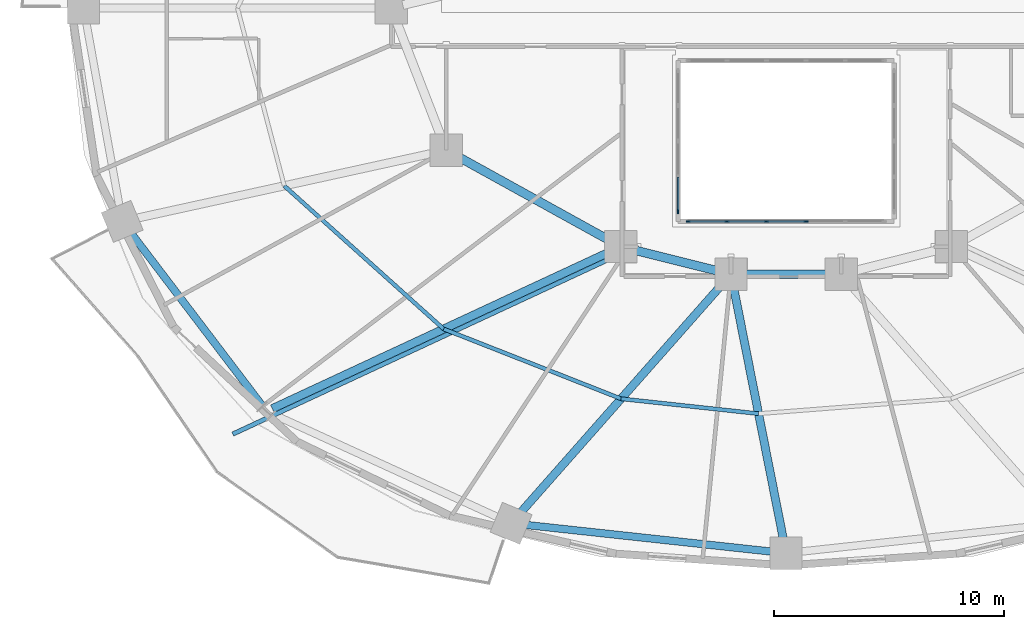
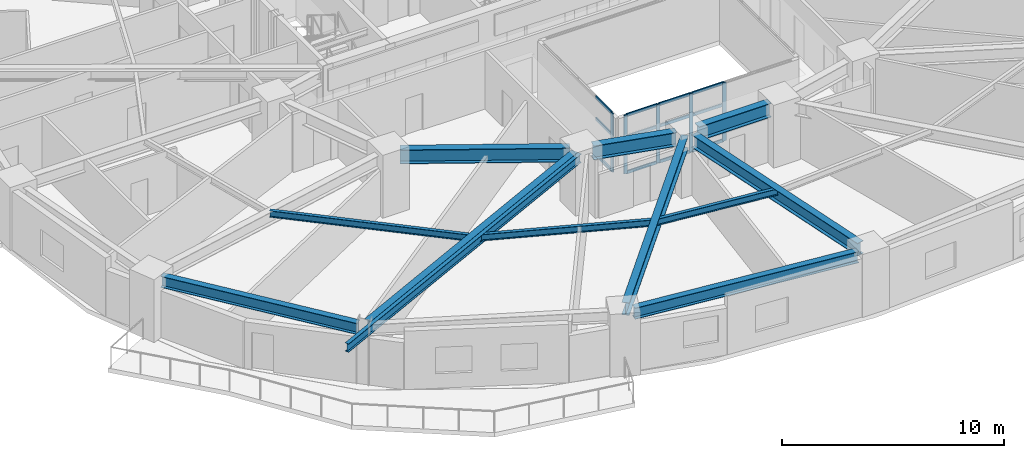
# One storey, part 3 of 18: 17 members, 12 beams, 2 elements without a shape of their own.
"""IFC4 building model written with IfcOpenShell, lengths in metres."""

from ifc_helpers import new_model, si_unit, direction, frame, origin, origin_2d, place, context, subcontext, project, spatial, rectangle, i_section, extrude, material, material_profile, profile_set, type_object, element, aggregate, save


model = new_model("IFC4")

# Units and contexts
model_context = context("Model", 3, precision=1e-05, world=origin(), true_north=direction((0.0, 1.0)))
body_context = subcontext(model_context, "Body", "Model", "MODEL_VIEW")
ifc_project = project(units=[si_unit("LENGTHUNIT", "METRE"), si_unit("AREAUNIT", "SQUARE_METRE"), si_unit("VOLUMEUNIT", "CUBIC_METRE"), si_unit("PLANEANGLEUNIT", "RADIAN"), si_unit("MASSUNIT", "GRAM", prefix="KILO")], contexts=[model_context])

# Site, building, storey
site_placement = place(None, origin())
site = spatial("IfcSite", under=ifc_project, at=site_placement, CompositionType="ELEMENT")
building_placement = place(site_placement, origin())
building = spatial("IfcBuilding", under=site, at=building_placement, Name="Haldorwick Loom Tower", CompositionType="ELEMENT")
storey_placement = place(building_placement, frame((0.0, 0.0, 48.14990234375)))
storey = spatial("IfcBuildingStorey", under=building, at=storey_placement, Name="L12", CompositionType="ELEMENT", Elevation=48.14990234375)

# Curtain wall, members
ifc_material_1 = material(Name="Thermally Broken Anodized Aluminium Curtain Wall Framing", Category="aluminium")
curtain_wall_type = type_object("IfcCurtainWallType", Name="ARC-CW-03", PredefinedType="NOTDEFINED", material=ifc_material_1)
curtain_wall_1_placement = place(storey_placement, origin())
curtain_wall_1 = element("IfcCurtainWall", 1, at=curtain_wall_1_placement, inside=storey, type_object=curtain_wall_type, Name="L12 Atrium Glazed Screen S", PredefinedType="NOTDEFINED")
ifc_material_profile_1 = material_profile(ifc_material_1, rectangle(XDim=0.06591796875, YDim=0.18505859375, at=origin_2d()), Name="ALU_MUL_66X185", Category="aluminium")
ifc_profile_set_1 = profile_set([ifc_material_profile_1], Name="Thermally Broken Anodized Aluminium Curtain Wall Framing")
member_type_1 = type_object("IfcMemberType", Name="ARC-CWM-03", PredefinedType="MULLION", material=ifc_profile_set_1)
member_1_placement = place(storey_placement, frame((36.860107421875, 16.699951171875, 0.0), z_axis=(0.0, 0.0, 1.0), x_axis=(0.0, -1.0, 0.0)))
member_1 = element("IfcMember", 2, at=member_1_placement, type_object=member_type_1, Name="CW-03 mullion 3", PredefinedType="MULLION", context=body_context, shape_type="SweptSolid", body=[
    extrude(rectangle(XDim=0.06591796875, YDim=0.18505859375, at=origin_2d()), origin(), (0.0, 0.0, 1.0), 3.210205078125),
])
member_2_placement = place(storey_placement, frame((35.139892578125, 16.699951171875, 0.0), z_axis=(0.0, 0.0, 1.0), x_axis=(0.0, -1.0, 0.0)))
member_2 = element("IfcMember", 3, at=member_2_placement, type_object=member_type_1, Name="CW-03 mullion 4", PredefinedType="MULLION", context=body_context, shape_type="SweptSolid", body=[
    extrude(rectangle(XDim=0.06591796875, YDim=0.18505859375, at=origin_2d()), origin(), (0.0, 0.0, 1.0), 3.210205078125),
])
member_3_placement = place(storey_placement, frame((33.419921875, 16.699951171875, 0.0), z_axis=(0.0, 0.0, 1.0), x_axis=(0.0, -1.0, 0.0)))
member_3 = element("IfcMember", 4, at=member_3_placement, type_object=member_type_1, Name="CW-03 mullion 5", PredefinedType="MULLION", context=body_context, shape_type="SweptSolid", body=[
    extrude(rectangle(XDim=0.06591796875, YDim=0.18505859375, at=origin_2d()), origin(), (0.0, 0.0, 1.0), 3.210205078125),
])
member_4_placement = place(storey_placement, frame((31.73291015625, 16.699951171875, 0.0), z_axis=(0.0, 0.0, 1.0), x_axis=(0.0, -1.0, 0.0)))
member_4 = element("IfcMember", 5, at=member_4_placement, type_object=member_type_1, Name="CW-03 mullion 6", PredefinedType="MULLION", context=body_context, shape_type="SweptSolid", body=[
    extrude(rectangle(XDim=0.06591796875, YDim=0.18505859375, at=origin_2d()), origin(), (0.0, 0.0, 1.0), 3.210205078125),
])

# Curtain wall, member
curtain_wall_2_placement = place(storey_placement, origin())
curtain_wall_2 = element("IfcCurtainWall", 6, at=curtain_wall_2_placement, inside=storey, type_object=curtain_wall_type, Name="L12 Atrium Glazed Screen W", PredefinedType="NOTDEFINED")
member_5_placement = place(storey_placement, frame((31.300048828125, 17.133056640625, 0.0), z_axis=(0.0, 0.0, 1.0), x_axis=(-1.0, 0.0, 0.0)))
member_5 = element("IfcMember", 7, at=member_5_placement, type_object=member_type_1, Name="CW-03 mullion 1", PredefinedType="MULLION", context=body_context, shape_type="SweptSolid", body=[
    extrude(rectangle(XDim=0.06591796875, YDim=0.18505859375, at=origin_2d()), origin(), (0.0, 0.0, 1.0), 3.210205078125),
])

# Member
ifc_material_profile_2 = material_profile(ifc_material_1, rectangle(XDim=0.06591796875, YDim=0.1650390625, at=origin_2d()), Name="ALU_TRN_66X165", Category="aluminium")
ifc_profile_set_2 = profile_set([ifc_material_profile_2], Name="Thermally Broken Anodized Aluminium Curtain Wall Framing")
member_type_2 = type_object("IfcMemberType", Name="ARC-CWT-03", PredefinedType="USERDEFINED", material=ifc_profile_set_2)
member_6_placement = place(storey_placement, frame((36.826904296875, 16.699951171875, 0.033203125), z_axis=(-1.0, 0.0, 0.0), x_axis=(0.0, -1.0, 0.0)))
member_6 = element("IfcMember", 8, at=member_6_placement, type_object=member_type_2, Name="CW-03 transom 3.1", ObjectType="TRANSOM", PredefinedType="USERDEFINED", context=body_context, shape_type="SweptSolid", body=[
    extrude(rectangle(XDim=0.06591796875, YDim=0.1650390625, at=origin_2d()), origin(), (0.0, 0.0, 1.0), 1.65380859375),
])

member_7_placement = place(storey_placement, frame((36.826904296875, 16.699951171875, 2.0), z_axis=(-1.0, 0.0, 0.0), x_axis=(0.0, -1.0, 0.0)))
member_7 = element("IfcMember", 9, at=member_7_placement, type_object=member_type_2, Name="CW-03 transom 3.2", ObjectType="TRANSOM", PredefinedType="USERDEFINED", context=body_context, shape_type="SweptSolid", body=[
    extrude(rectangle(XDim=0.06591796875, YDim=0.1650390625, at=origin_2d()), origin(), (0.0, 0.0, 1.0), 1.65380859375),
])

member_8_placement = place(storey_placement, frame((36.826904296875, 16.699951171875, 3.177001953125), z_axis=(-1.0, 0.0, 0.0), x_axis=(0.0, -1.0, 0.0)))
member_8 = element("IfcMember", 10, at=member_8_placement, type_object=member_type_2, Name="CW-03 transom 3.3", ObjectType="TRANSOM", PredefinedType="USERDEFINED", context=body_context, shape_type="SweptSolid", body=[
    extrude(rectangle(XDim=0.06591796875, YDim=0.1650390625, at=origin_2d()), origin(), (0.0, 0.0, 1.0), 1.65380859375),
])

member_9_placement = place(storey_placement, frame((35.10693359375, 16.699951171875, 0.033203125), z_axis=(-1.0, 0.0, 0.0), x_axis=(0.0, -1.0, 0.0)))
member_9 = element("IfcMember", 11, at=member_9_placement, type_object=member_type_2, Name="CW-03 transom 4.1", ObjectType="TRANSOM", PredefinedType="USERDEFINED", context=body_context, shape_type="SweptSolid", body=[
    extrude(rectangle(XDim=0.06591796875, YDim=0.1650390625, at=origin_2d()), origin(), (0.0, 0.0, 1.0), 1.654052734375),
])

member_10_placement = place(storey_placement, frame((35.10693359375, 16.699951171875, 2.0), z_axis=(-1.0, 0.0, 0.0), x_axis=(0.0, -1.0, 0.0)))
member_10 = element("IfcMember", 12, at=member_10_placement, type_object=member_type_2, Name="CW-03 transom 4.2", ObjectType="TRANSOM", PredefinedType="USERDEFINED", context=body_context, shape_type="SweptSolid", body=[
    extrude(rectangle(XDim=0.06591796875, YDim=0.1650390625, at=origin_2d()), origin(), (0.0, 0.0, 1.0), 1.654052734375),
])

member_11_placement = place(storey_placement, frame((35.10693359375, 16.699951171875, 3.177001953125), z_axis=(-1.0, 0.0, 0.0), x_axis=(0.0, -1.0, 0.0)))
member_11 = element("IfcMember", 13, at=member_11_placement, type_object=member_type_2, Name="CW-03 transom 4.3", ObjectType="TRANSOM", PredefinedType="USERDEFINED", context=body_context, shape_type="SweptSolid", body=[
    extrude(rectangle(XDim=0.06591796875, YDim=0.1650390625, at=origin_2d()), origin(), (0.0, 0.0, 1.0), 1.654052734375),
])

member_12_placement = place(storey_placement, frame((33.386962890625, 16.699951171875, 0.033203125), z_axis=(-1.0, 0.0, 0.0), x_axis=(0.0, -1.0, 0.0)))
member_12 = element("IfcMember", 14, at=member_12_placement, type_object=member_type_2, Name="CW-03 transom 5.1", ObjectType="TRANSOM", PredefinedType="USERDEFINED", context=body_context, shape_type="SweptSolid", body=[
    extrude(rectangle(XDim=0.06591796875, YDim=0.1650390625, at=origin_2d()), origin(), (0.0, 0.0, 1.0), 1.620849609375),
])

member_13_placement = place(storey_placement, frame((33.386962890625, 16.699951171875, 2.0), z_axis=(-1.0, 0.0, 0.0), x_axis=(0.0, -1.0, 0.0)))
member_13 = element("IfcMember", 15, at=member_13_placement, type_object=member_type_2, Name="CW-03 transom 5.2", ObjectType="TRANSOM", PredefinedType="USERDEFINED", context=body_context, shape_type="SweptSolid", body=[
    extrude(rectangle(XDim=0.06591796875, YDim=0.1650390625, at=origin_2d()), origin(), (0.0, 0.0, 1.0), 1.620849609375),
])

member_14_placement = place(storey_placement, frame((33.386962890625, 16.699951171875, 3.177001953125), z_axis=(-1.0, 0.0, 0.0), x_axis=(0.0, -1.0, 0.0)))
member_14 = element("IfcMember", 16, at=member_14_placement, type_object=member_type_2, Name="CW-03 transom 5.3", ObjectType="TRANSOM", PredefinedType="USERDEFINED", context=body_context, shape_type="SweptSolid", body=[
    extrude(rectangle(XDim=0.06591796875, YDim=0.1650390625, at=origin_2d()), origin(), (0.0, 0.0, 1.0), 1.620849609375),
])

aggregate(curtain_wall_1, [member_1, member_2, member_3, member_4, member_6, member_7, member_8, member_9, member_10, member_11, member_12, member_13, member_14])

member_15_placement = place(storey_placement, frame((31.300048828125, 17.166015625, 0.033203125), z_axis=(0.0, 1.0, 0.0), x_axis=(-1.0, 0.0, 0.0)))
member_15 = element("IfcMember", 17, at=member_15_placement, type_object=member_type_2, Name="CW-03 transom 1.1", ObjectType="TRANSOM", PredefinedType="USERDEFINED", context=body_context, shape_type="SweptSolid", body=[
    extrude(rectangle(XDim=0.06591796875, YDim=0.1650390625, at=origin_2d()), origin(), (0.0, 0.0, 1.0), 1.450927734375),
])

member_16_placement = place(storey_placement, frame((31.300048828125, 17.166015625, 2.0), z_axis=(0.0, 1.0, 0.0), x_axis=(-1.0, 0.0, 0.0)))
member_16 = element("IfcMember", 18, at=member_16_placement, type_object=member_type_2, Name="CW-03 transom 1.2", ObjectType="TRANSOM", PredefinedType="USERDEFINED", context=body_context, shape_type="SweptSolid", body=[
    extrude(rectangle(XDim=0.06591796875, YDim=0.1650390625, at=origin_2d()), origin(), (0.0, 0.0, 1.0), 1.450927734375),
])

member_17_placement = place(storey_placement, frame((31.300048828125, 17.166015625, 3.177001953125), z_axis=(0.0, 1.0, 0.0), x_axis=(-1.0, 0.0, 0.0)))
member_17 = element("IfcMember", 19, at=member_17_placement, type_object=member_type_2, Name="CW-03 transom 1.3", ObjectType="TRANSOM", PredefinedType="USERDEFINED", context=body_context, shape_type="SweptSolid", body=[
    extrude(rectangle(XDim=0.06591796875, YDim=0.1650390625, at=origin_2d()), origin(), (0.0, 0.0, 1.0), 1.450927734375),
])

aggregate(curtain_wall_2, [member_5, member_15, member_16, member_17])

# Beams
ifc_material_2 = material(Name="Steel CSA G40.21 350W", Category="steel")
ifc_material_profile_3 = material_profile(ifc_material_2, i_section(OverallWidth=0.193115234375, OverallDepth=0.466064453125, WebThickness=0.011474609375, FlangeThickness=0.01904296875, at=origin_2d()), Name="W460X97", Category="steel")
ifc_profile_set_3 = profile_set([ifc_material_profile_3], Name="Steel CSA G40.21 350W")
beam_type_1 = type_object("IfcBeamType", Name="STR-BM-BAL460", PredefinedType="BEAM", material=ifc_profile_set_3)
beam_1_placement = place(storey_placement, frame((28.446533203125, 15.126953125, 2.97705078125), z_axis=(-0.906840784049, -0.421473359047, 0.0), x_axis=(0.421473359047, -0.906840784049, 0.0)))
element("IfcBeam", 20, at=beam_1_placement, inside=storey, type_object=beam_type_1, Name="L12 Continuous Back-Spanned Balcony Beam 2", PredefinedType="BEAM", context=body_context, shape_type="SweptSolid", body=[
    extrude(i_section(OverallWidth=0.193115234375, OverallDepth=0.466064453125, WebThickness=0.011474609375, FlangeThickness=0.01904296875, at=origin_2d()), origin(), (0.0, 0.0, 1.0), 18.245361328125),
])
ifc_material_profile_4 = material_profile(ifc_material_2, i_section(OverallWidth=0.172119140625, OverallDepth=0.35791015625, WebThickness=0.0078125, FlangeThickness=0.01318359375, at=origin_2d()), Name="W360X57", Category="steel")
ifc_profile_set_4 = profile_set([ifc_material_profile_4], Name="Steel CSA G40.21 350W")
beam_type_2 = type_object("IfcBeamType", Name="STR-BM-J360", PredefinedType="JOIST", material=ifc_profile_set_4)
beam_2_placement = place(storey_placement, frame((14.141357421875, 18.25048828125, 3.031005859375), z_axis=(0.743981830112, -0.668199847698, 0.0), x_axis=(0.668199847698, 0.743981830112, 0.0)))
element("IfcBeam", 21, at=beam_2_placement, inside=storey, type_object=beam_type_2, Name="L12 Mid-Bay Secondary Joist 10", PredefinedType="JOIST", context=body_context, shape_type="SweptSolid", body=[
    extrude(i_section(OverallWidth=0.172119140625, OverallDepth=0.35791015625, WebThickness=0.0078125, FlangeThickness=0.01318359375, at=origin_2d()), origin(), (0.0, 0.0, 1.0), 9.3330078125),
])
beam_3_placement = place(storey_placement, frame((21.0849609375, 12.01416015625, 3.031005859375), z_axis=(0.930584838237, -0.366076301941, 0.0), x_axis=(0.366076301941, 0.930584838237, 0.0)))
element("IfcBeam", 22, at=beam_3_placement, inside=storey, type_object=beam_type_2, Name="L12 Mid-Bay Secondary Joist 11", PredefinedType="JOIST", context=body_context, shape_type="SweptSolid", body=[
    extrude(i_section(OverallWidth=0.172119140625, OverallDepth=0.35791015625, WebThickness=0.0078125, FlangeThickness=0.01318359375, at=origin_2d()), origin(), (0.0, 0.0, 1.0), 8.302490234375),
])
beam_4_placement = place(storey_placement, frame((28.81103515625, 8.974853515625, 3.031005859375), z_axis=(0.994163660215, -0.107882420753, 0.0), x_axis=(0.107882420753, 0.994163660215, 0.0)))
element("IfcBeam", 23, at=beam_4_placement, inside=storey, type_object=beam_type_2, Name="L12 Mid-Bay Secondary Joist 12", PredefinedType="JOIST", context=body_context, shape_type="SweptSolid", body=[
    extrude(i_section(OverallWidth=0.172119140625, OverallDepth=0.35791015625, WebThickness=0.0078125, FlangeThickness=0.01318359375, at=origin_2d()), origin(), (0.0, 0.0, 1.0), 6.024169921875),
])
ifc_material_profile_5 = material_profile(ifc_material_2, i_section(OverallWidth=0.324951171875, OverallDepth=0.615966796875, WebThickness=0.013916015625, FlangeThickness=0.021484375, at=origin_2d()), Name="W610X174", Category="steel")
ifc_profile_set_5 = profile_set([ifc_material_profile_5], Name="Steel CSA G40.21 350W")
beam_type_3 = type_object("IfcBeamType", Name="STR-BM-SP610", PredefinedType="SPANDREL", material=ifc_profile_set_5)
beam_5_placement = place(storey_placement, frame((7.397216796875, 16.286865234375, 2.902099609375), z_axis=(0.605084557744, -0.796161213562, 0.0), x_axis=(0.796161213562, 0.605084557744, 0.0)))
element("IfcBeam", 24, at=beam_5_placement, inside=storey, type_object=beam_type_3, Name="L12 Perimeter Spandrel 10", PredefinedType="SPANDREL", context=body_context, shape_type="SweptSolid", body=[
    extrude(i_section(OverallWidth=0.324951171875, OverallDepth=0.615966796875, WebThickness=0.013916015625, FlangeThickness=0.021484375, at=origin_2d()), origin(), (0.0, 0.0, 1.0), 9.595703125),
])
beam_6_placement = place(storey_placement, frame((24.5390625, 3.49365234375, 2.902099609375), z_axis=(0.994164438636, -0.107875247167, 0.0), x_axis=(0.107875247167, 0.994164438636, 0.0)))
element("IfcBeam", 25, at=beam_6_placement, inside=storey, type_object=beam_type_3, Name="L12 Perimeter Spandrel 12", PredefinedType="SPANDREL", context=body_context, shape_type="SweptSolid", body=[
    extrude(i_section(OverallWidth=0.324951171875, OverallDepth=0.615966796875, WebThickness=0.013916015625, FlangeThickness=0.021484375, at=origin_2d()), origin(), (0.0, 0.0, 1.0), 11.008056640625),
])
ifc_material_profile_6 = material_profile(ifc_material_2, i_section(OverallWidth=0.35498046875, OverallDepth=0.695068359375, WebThickness=0.015380859375, FlangeThickness=0.02490234375, at=origin_2d()), Name="W690X217", Category="steel")
ifc_profile_set_6 = profile_set([ifc_material_profile_6], Name="Steel CSA G40.21 350W")
beam_type_4 = type_object("IfcBeamType", Name="STR-BM-W690", PredefinedType="BEAM", material=ifc_profile_set_6)
beam_7_placement = place(storey_placement, frame((28.328369140625, 15.380859375, 2.862548828125), z_axis=(-0.90683498532, -0.421485835349, 0.0), x_axis=(0.421485835349, -0.90683498532, 0.0)))
element("IfcBeam", 26, at=beam_7_placement, inside=storey, type_object=beam_type_4, Name="L12 Radial Floor Girder 11", PredefinedType="BEAM", context=body_context, shape_type="SweptSolid", body=[
    extrude(i_section(OverallWidth=0.35498046875, OverallDepth=0.695068359375, WebThickness=0.015380859375, FlangeThickness=0.02490234375, at=origin_2d()), origin(), (0.0, 0.0, 1.0), 16.220458984375),
])
beam_8_placement = place(storey_placement, frame((33.255859375, 14.01025390625, 2.862548828125), z_axis=(-0.661774304332, -0.749703121326, 0.0), x_axis=(0.749703121326, -0.661774304332, 0.0)))
element("IfcBeam", 27, at=beam_8_placement, inside=storey, type_object=beam_type_4, Name="L12 Radial Floor Girder 12", PredefinedType="BEAM", context=body_context, shape_type="SweptSolid", body=[
    extrude(i_section(OverallWidth=0.35498046875, OverallDepth=0.695068359375, WebThickness=0.015380859375, FlangeThickness=0.02490234375, at=origin_2d()), origin(), (0.0, 0.0, 1.0), 13.43310546875),
])
beam_9_placement = place(storey_placement, frame((33.70068359375, 13.889892578125, 2.862548828125), z_axis=(0.193785651115, -0.981043893729, 0.0), x_axis=(0.981043893729, 0.193785651115, 0.0)))
element("IfcBeam", 28, at=beam_9_placement, inside=storey, type_object=beam_type_4, Name="L12 Radial Floor Girder 13", PredefinedType="BEAM", context=body_context, shape_type="SweptSolid", body=[
    extrude(i_section(OverallWidth=0.35498046875, OverallDepth=0.695068359375, WebThickness=0.015380859375, FlangeThickness=0.02490234375, at=origin_2d()), origin(), (0.0, 0.0, 1.0), 11.344970703125),
])
ifc_material_profile_7 = material_profile(ifc_material_2, i_section(OverallWidth=0.381103515625, OverallDepth=0.77294921875, WebThickness=0.0166015625, FlangeThickness=0.027587890625, at=origin_2d()), Name="W760X257", Category="steel")
ifc_profile_set_7 = profile_set([ifc_material_profile_7], Name="Steel CSA G40.21 350W")
beam_type_5 = type_object("IfcBeamType", Name="STR-BM-W760", PredefinedType="BEAM", material=ifc_profile_set_7)
beam_10_placement = place(storey_placement, frame((37.8798828125, 14.39990234375, 2.823486328125), z_axis=(-1.0, 0.0, 0.0), x_axis=(0.0, -1.0, 0.0)))
element("IfcBeam", 29, at=beam_10_placement, inside=storey, type_object=beam_type_5, Name="L12 Inner Ring Girder 5", PredefinedType="BEAM", context=body_context, shape_type="SweptSolid", body=[
    extrude(i_section(OverallWidth=0.381103515625, OverallDepth=0.77294921875, WebThickness=0.0166015625, FlangeThickness=0.027587890625, at=origin_2d()), origin(), (0.0, 0.0, 1.0), 3.759765625),
])
beam_11_placement = place(storey_placement, frame((33.095458984375, 14.526123046875, 2.823486328125), z_axis=(-0.970142500145, 0.242535625036, 0.0), x_axis=(-0.242535625036, -0.970142500145, 0.0)))
element("IfcBeam", 30, at=beam_11_placement, inside=storey, type_object=beam_type_5, Name="L12 Inner Ring Girder 6", PredefinedType="BEAM", context=body_context, shape_type="SweptSolid", body=[
    extrude(i_section(OverallWidth=0.381103515625, OverallDepth=0.77294921875, WebThickness=0.0166015625, FlangeThickness=0.027587890625, at=origin_2d()), origin(), (0.0, 0.0, 1.0), 3.90771484375),
])
beam_12_placement = place(storey_placement, frame((28.344970703125, 15.8515625, 2.823486328125), z_axis=(-0.875244382146, 0.483680960471, 0.0), x_axis=(-0.483680960471, -0.875244382146, 0.0)))
element("IfcBeam", 31, at=beam_12_placement, inside=storey, type_object=beam_type_5, Name="L12 Inner Ring Girder 7", PredefinedType="BEAM", context=body_context, shape_type="SweptSolid", body=[
    extrude(i_section(OverallWidth=0.381103515625, OverallDepth=0.77294921875, WebThickness=0.0166015625, FlangeThickness=0.027587890625, at=origin_2d()), origin(), (0.0, 0.0, 1.0), 7.6435546875),
])

save(model, "model.ifc")
